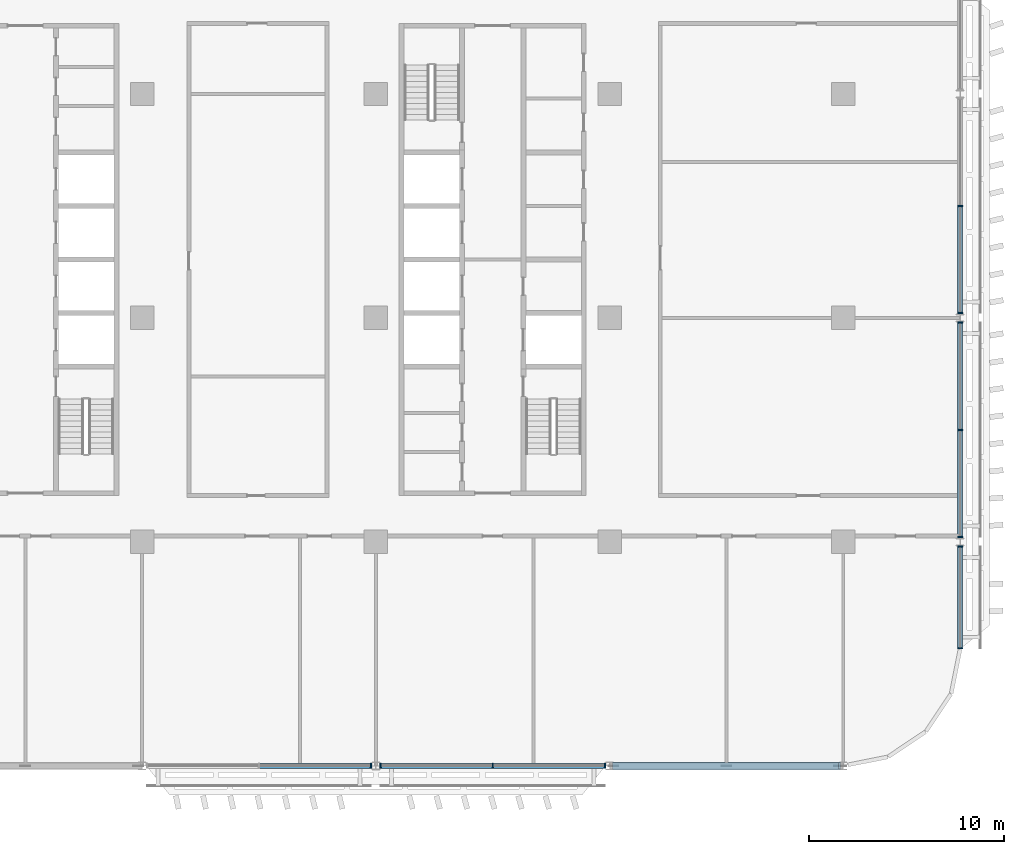
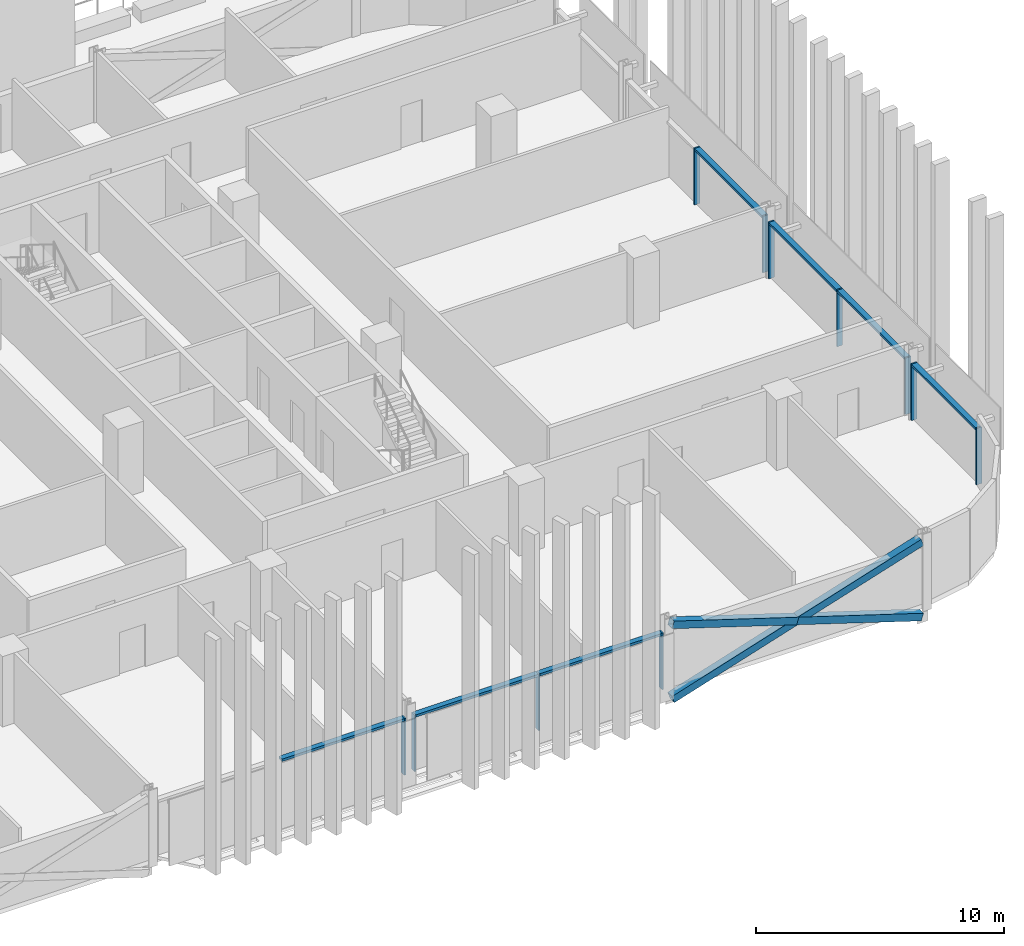
# One storey, part 7 of 30: 21 members, 5 elements without a shape of their own.
"""IFC4 building model written with IfcOpenShell, lengths in metres."""

from ifc_helpers import new_model, si_unit, direction, frame, origin, origin_2d, place, context, subcontext, project, spatial, rectangle, hollow_rectangle, extrude, material, material_profile, profile_set, type_object, element, aggregate, save


model = new_model("IFC4")

# Units and contexts
model_context = context("Model", 3, precision=1e-05, world=origin(), true_north=direction((0.0, 1.0)))
body_context = subcontext(model_context, "Body", "Model", "MODEL_VIEW")
ifc_project = project(units=[si_unit("LENGTHUNIT", "METRE"), si_unit("AREAUNIT", "SQUARE_METRE"), si_unit("VOLUMEUNIT", "CUBIC_METRE"), si_unit("PLANEANGLEUNIT", "RADIAN"), si_unit("MASSUNIT", "GRAM", prefix="KILO")], contexts=[model_context])

# Site, building, storey
site_placement = place(None, origin())
site = spatial("IfcSite", under=ifc_project, at=site_placement, CompositionType="ELEMENT")
building_placement = place(site_placement, origin())
building = spatial("IfcBuilding", under=site, at=building_placement, Name="Mahtab Terrace Research Tower", CompositionType="ELEMENT")
storey_placement = place(building_placement, frame((0.0, 0.0, 159.199951171875)))
storey = spatial("IfcBuildingStorey", under=building, at=storey_placement, Name="L37", CompositionType="ELEMENT", Elevation=159.199951171875)

# Members
ifc_material_1 = material(Name="Steel ASTM A500 Gr C", Category="steel")
ifc_material_profile_1 = material_profile(ifc_material_1, hollow_rectangle(XDim=0.355712890625, YDim=0.355712890625, WallThickness=0.015869140625, at=origin_2d()), Name="HSS14X14X5/8")
ifc_profile_set_1 = profile_set([ifc_material_profile_1], Name="Steel ASTM A500 Gr C")
member_type_1 = type_object("IfcMemberType", Name="HSS 14x14x5/8 brace XB141458", PredefinedType="BRACE", material=ifc_profile_set_1)
member_1_placement = place(storey_placement, frame((30.203125, -23.0, -0.61474609375), z_axis=(0.953341454971, 0.0, 0.301894137463), x_axis=(0.0, 1.0, 0.0)))
element("IfcMember", 1, at=member_1_placement, inside=storey, type_object=member_type_1, Name="Exoskeleton brace L37 18 a", PredefinedType="BRACE", context=body_context, shape_type="SweptSolid", body=[
    extrude(hollow_rectangle(XDim=0.355712890625, YDim=0.355712890625, WallThickness=0.015869140625, at=origin_2d()), origin(), (0.0, 0.0, 1.0), 12.1611328125),
])
for number, where, z_axis, x_axis, name in (
    (2, (41.796875, -23.0, -0.61474609375), (-0.953341454971, 0.0, 0.301894137463), (0.0, -1.0, 0.0), "Exoskeleton brace L37 18 b1"),
    (3, (36.0, -23.0, 1.220947265625), (-0.953341454971, 0.0, 0.301894137463), (0.0, -1.0, 0.0), "Exoskeleton brace L37 18 b2"),
):
    element("IfcMember", number, at=place(storey_placement, frame(where, z_axis=z_axis, x_axis=x_axis)), inside=storey, type_object=member_type_1, Name=name, PredefinedType="BRACE", context=body_context, shape_type="SweptSolid", body=[
        extrude(hollow_rectangle(XDim=0.355712890625, YDim=0.355712890625, WallThickness=0.015869140625, at=origin_2d()), origin(), (0.0, 0.0, 1.0), 6.08056640625),
    ])

# Curtain wall, member
ifc_material_2 = material(Name="Sky lounge full-height curtain wall")
curtain_wall_type = type_object("IfcCurtainWallType", Name="Sky lounge full-height curtain wall", PredefinedType="NOTDEFINED", material=ifc_material_2)
curtain_wall_1_placement = place(storey_placement, origin())
curtain_wall_1 = element("IfcCurtainWall", 4, at=curtain_wall_1_placement, inside=storey, type_object=curtain_wall_type, Name="EN.L37.13.27", PredefinedType="NOTDEFINED")
ifc_material_3 = material(Name="Natural anodised aluminium", Category="aluminium")
ifc_material_profile_2 = material_profile(ifc_material_3, rectangle(XDim=0.25, YDim=0.070068359375, at=origin_2d()), Name="MULLION 70x250")
ifc_profile_set_2 = profile_set([ifc_material_profile_2], Name="Natural anodised aluminium")
member_type_2 = type_object("IfcMemberType", Name="Sky lounge full-height curtain wall mullion", PredefinedType="MULLION", material=ifc_profile_set_2)
member_2_placement = place(storey_placement, frame((17.757080078125, -23.0, 0.0), z_axis=(0.0, 0.0, 1.0), x_axis=(0.0, 1.0, 0.0)))
member_2 = element("IfcMember", 5, at=member_2_placement, type_object=member_type_2, Name="CWS-5 mullion 3", PredefinedType="MULLION", context=body_context, shape_type="SweptSolid", body=[
    extrude(rectangle(XDim=0.25, YDim=0.070068359375, at=origin_2d()), origin(), (0.0, 0.0, 1.0), 2.78173828125),
])

# Curtain wall, members
curtain_wall_2_placement = place(storey_placement, origin())
curtain_wall_2 = element("IfcCurtainWall", 6, at=curtain_wall_2_placement, inside=storey, type_object=curtain_wall_type, Name="EN.L37.13.28", PredefinedType="NOTDEFINED")
member_3_placement = place(storey_placement, frame((18.242919921875, -23.0, 0.0), z_axis=(0.0, 0.0, 1.0), x_axis=(0.0, 1.0, 0.0)))
member_3 = element("IfcMember", 7, at=member_3_placement, type_object=member_type_2, Name="CWS-5 mullion 1", PredefinedType="MULLION", context=body_context, shape_type="SweptSolid", body=[
    extrude(rectangle(XDim=0.25, YDim=0.070068359375, at=origin_2d()), origin(), (0.0, 0.0, 1.0), 2.78173828125),
])
member_4_placement = place(storey_placement, frame((24.0, -23.0, 0.0), z_axis=(0.0, 0.0, 1.0), x_axis=(0.0, 1.0, 0.0)))
member_4 = element("IfcMember", 8, at=member_4_placement, type_object=member_type_2, Name="CWS-5 mullion 2", PredefinedType="MULLION", context=body_context, shape_type="SweptSolid", body=[
    extrude(rectangle(XDim=0.25, YDim=0.070068359375, at=origin_2d()), origin(), (0.0, 0.0, 1.0), 2.78173828125),
])
member_5_placement = place(storey_placement, frame((29.757080078125, -23.0, 0.0), z_axis=(0.0, 0.0, 1.0), x_axis=(0.0, 1.0, 0.0)))
member_5 = element("IfcMember", 9, at=member_5_placement, type_object=member_type_2, Name="CWS-5 mullion 3", PredefinedType="MULLION", context=body_context, shape_type="SweptSolid", body=[
    extrude(rectangle(XDim=0.25, YDim=0.070068359375, at=origin_2d()), origin(), (0.0, 0.0, 1.0), 2.78173828125),
])

curtain_wall_3_placement = place(storey_placement, origin())
curtain_wall_3 = element("IfcCurtainWall", 10, at=curtain_wall_3_placement, inside=storey, type_object=curtain_wall_type, Name="EN.L37.18.34", PredefinedType="NOTDEFINED")
member_6_placement = place(storey_placement, frame((48.0, -16.965087890625, 0.0), z_axis=(0.0, 0.0, 1.0), x_axis=(-1.0, 0.0, 0.0)))
member_6 = element("IfcMember", 11, at=member_6_placement, type_object=member_type_2, Name="CWS-5 mullion 1", PredefinedType="MULLION", context=body_context, shape_type="SweptSolid", body=[
    extrude(rectangle(XDim=0.25, YDim=0.070068359375, at=origin_2d()), origin(), (0.0, 0.0, 1.0), 2.78173828125),
])
member_7_placement = place(storey_placement, frame((48.0, -11.742919921875, 0.0), z_axis=(0.0, 0.0, 1.0), x_axis=(-1.0, 0.0, 0.0)))
member_7 = element("IfcMember", 12, at=member_7_placement, type_object=member_type_2, Name="CWS-5 mullion 2", PredefinedType="MULLION", context=body_context, shape_type="SweptSolid", body=[
    extrude(rectangle(XDim=0.25, YDim=0.070068359375, at=origin_2d()), origin(), (0.0, 0.0, 1.0), 2.78173828125),
])

curtain_wall_4_placement = place(storey_placement, origin())
curtain_wall_4 = element("IfcCurtainWall", 13, at=curtain_wall_4_placement, inside=storey, type_object=curtain_wall_type, Name="EN.L37.18.35", PredefinedType="NOTDEFINED")
member_8_placement = place(storey_placement, frame((48.0, -11.257080078125, 0.0), z_axis=(0.0, 0.0, 1.0), x_axis=(-1.0, 0.0, 0.0)))
member_8 = element("IfcMember", 14, at=member_8_placement, type_object=member_type_2, Name="CWS-5 mullion 1", PredefinedType="MULLION", context=body_context, shape_type="SweptSolid", body=[
    extrude(rectangle(XDim=0.25, YDim=0.070068359375, at=origin_2d()), origin(), (0.0, 0.0, 1.0), 2.78173828125),
])
member_9_placement = place(storey_placement, frame((48.0, -5.75, 0.0), z_axis=(0.0, 0.0, 1.0), x_axis=(-1.0, 0.0, 0.0)))
member_9 = element("IfcMember", 15, at=member_9_placement, type_object=member_type_2, Name="CWS-5 mullion 2", PredefinedType="MULLION", context=body_context, shape_type="SweptSolid", body=[
    extrude(rectangle(XDim=0.25, YDim=0.070068359375, at=origin_2d()), origin(), (0.0, 0.0, 1.0), 2.78173828125),
])
member_10_placement = place(storey_placement, frame((48.0, -0.242919921875, 0.0), z_axis=(0.0, 0.0, 1.0), x_axis=(-1.0, 0.0, 0.0)))
member_10 = element("IfcMember", 16, at=member_10_placement, type_object=member_type_2, Name="CWS-5 mullion 3", PredefinedType="MULLION", context=body_context, shape_type="SweptSolid", body=[
    extrude(rectangle(XDim=0.25, YDim=0.070068359375, at=origin_2d()), origin(), (0.0, 0.0, 1.0), 2.78173828125),
])

curtain_wall_5_placement = place(storey_placement, origin())
curtain_wall_5 = element("IfcCurtainWall", 17, at=curtain_wall_5_placement, inside=storey, type_object=curtain_wall_type, Name="EN.L37.18.36", PredefinedType="NOTDEFINED")
member_11_placement = place(storey_placement, frame((48.0, 0.242919921875, 0.0), z_axis=(0.0, 0.0, 1.0), x_axis=(-1.0, 0.0, 0.0)))
member_11 = element("IfcMember", 18, at=member_11_placement, type_object=member_type_2, Name="CWS-5 mullion 1", PredefinedType="MULLION", context=body_context, shape_type="SweptSolid", body=[
    extrude(rectangle(XDim=0.25, YDim=0.070068359375, at=origin_2d()), origin(), (0.0, 0.0, 1.0), 2.78173828125),
])
member_12_placement = place(storey_placement, frame((48.0, 5.75, 0.0), z_axis=(0.0, 0.0, 1.0), x_axis=(-1.0, 0.0, 0.0)))
member_12 = element("IfcMember", 19, at=member_12_placement, type_object=member_type_2, Name="CWS-5 mullion 2", PredefinedType="MULLION", context=body_context, shape_type="SweptSolid", body=[
    extrude(rectangle(XDim=0.25, YDim=0.070068359375, at=origin_2d()), origin(), (0.0, 0.0, 1.0), 2.78173828125),
])

# Member
ifc_material_profile_3 = material_profile(ifc_material_3, rectangle(XDim=0.25, YDim=0.1201171875, at=origin_2d()), Name="TRANSOM 120x250")
ifc_profile_set_3 = profile_set([ifc_material_profile_3], Name="Natural anodised aluminium")
member_type_3 = type_object("IfcMemberType", Name="Sky lounge full-height curtain wall transom", PredefinedType="USERDEFINED", material=ifc_profile_set_3)
member_13_placement = place(storey_placement, frame((12.034912109375, -23.0, 2.721923828125), z_axis=(1.0, 0.0, 0.0), x_axis=(0.0, 1.0, 0.0)))
member_13 = element("IfcMember", 20, at=member_13_placement, type_object=member_type_3, Name="CWS-5 transom 2", ObjectType="TRANSOM", PredefinedType="USERDEFINED", context=body_context, shape_type="SweptSolid", body=[
    extrude(rectangle(XDim=0.25, YDim=0.1201171875, at=origin_2d()), origin(), (0.0, 0.0, 1.0), 5.68701171875),
])

aggregate(curtain_wall_1, [member_2, member_13])

member_14_placement = place(storey_placement, frame((18.278076171875, -23.0, 2.721923828125), z_axis=(1.0, 0.0, 0.0), x_axis=(0.0, 1.0, 0.0)))
member_14 = element("IfcMember", 21, at=member_14_placement, type_object=member_type_3, Name="CWS-5 transom 1", ObjectType="TRANSOM", PredefinedType="USERDEFINED", context=body_context, shape_type="SweptSolid", body=[
    extrude(rectangle(XDim=0.25, YDim=0.1201171875, at=origin_2d()), origin(), (0.0, 0.0, 1.0), 5.68701171875),
])

member_15_placement = place(storey_placement, frame((24.034912109375, -23.0, 2.721923828125), z_axis=(1.0, 0.0, 0.0), x_axis=(0.0, 1.0, 0.0)))
member_15 = element("IfcMember", 22, at=member_15_placement, type_object=member_type_3, Name="CWS-5 transom 2", ObjectType="TRANSOM", PredefinedType="USERDEFINED", context=body_context, shape_type="SweptSolid", body=[
    extrude(rectangle(XDim=0.25, YDim=0.1201171875, at=origin_2d()), origin(), (0.0, 0.0, 1.0), 5.68701171875),
])

aggregate(curtain_wall_2, [member_3, member_4, member_5, member_14, member_15])

member_16_placement = place(storey_placement, frame((48.0, -16.929931640625, 2.721923828125), z_axis=(0.0, 1.0, 0.0), x_axis=(-1.0, 0.0, 0.0)))
member_16 = element("IfcMember", 23, at=member_16_placement, type_object=member_type_3, Name="CWS-5 transom 1", ObjectType="TRANSOM", PredefinedType="USERDEFINED", context=body_context, shape_type="SweptSolid", body=[
    extrude(rectangle(XDim=0.25, YDim=0.1201171875, at=origin_2d()), origin(), (0.0, 0.0, 1.0), 5.15185546875),
])

aggregate(curtain_wall_3, [member_6, member_7, member_16])

member_17_placement = place(storey_placement, frame((48.0, -11.221923828125, 2.721923828125), z_axis=(0.0, 1.0, 0.0), x_axis=(-1.0, 0.0, 0.0)))
member_17 = element("IfcMember", 24, at=member_17_placement, type_object=member_type_3, Name="CWS-5 transom 1", ObjectType="TRANSOM", PredefinedType="USERDEFINED", context=body_context, shape_type="SweptSolid", body=[
    extrude(rectangle(XDim=0.25, YDim=0.1201171875, at=origin_2d()), origin(), (0.0, 0.0, 1.0), 5.43701171875),
])

member_18_placement = place(storey_placement, frame((48.0, -5.715087890625, 2.721923828125), z_axis=(0.0, 1.0, 0.0), x_axis=(-1.0, 0.0, 0.0)))
member_18 = element("IfcMember", 25, at=member_18_placement, type_object=member_type_3, Name="CWS-5 transom 2", ObjectType="TRANSOM", PredefinedType="USERDEFINED", context=body_context, shape_type="SweptSolid", body=[
    extrude(rectangle(XDim=0.25, YDim=0.1201171875, at=origin_2d()), origin(), (0.0, 0.0, 1.0), 5.43701171875),
])

aggregate(curtain_wall_4, [member_8, member_9, member_10, member_17, member_18])

member_19_placement = place(storey_placement, frame((48.0, 0.278076171875, 2.721923828125), z_axis=(0.0, 1.0, 0.0), x_axis=(-1.0, 0.0, 0.0)))
member_19 = element("IfcMember", 26, at=member_19_placement, type_object=member_type_3, Name="CWS-5 transom 1", ObjectType="TRANSOM", PredefinedType="USERDEFINED", context=body_context, shape_type="SweptSolid", body=[
    extrude(rectangle(XDim=0.25, YDim=0.1201171875, at=origin_2d()), origin(), (0.0, 0.0, 1.0), 5.43701171875),
])

aggregate(curtain_wall_5, [member_11, member_12, member_19])

save(model, "model.ifc")
